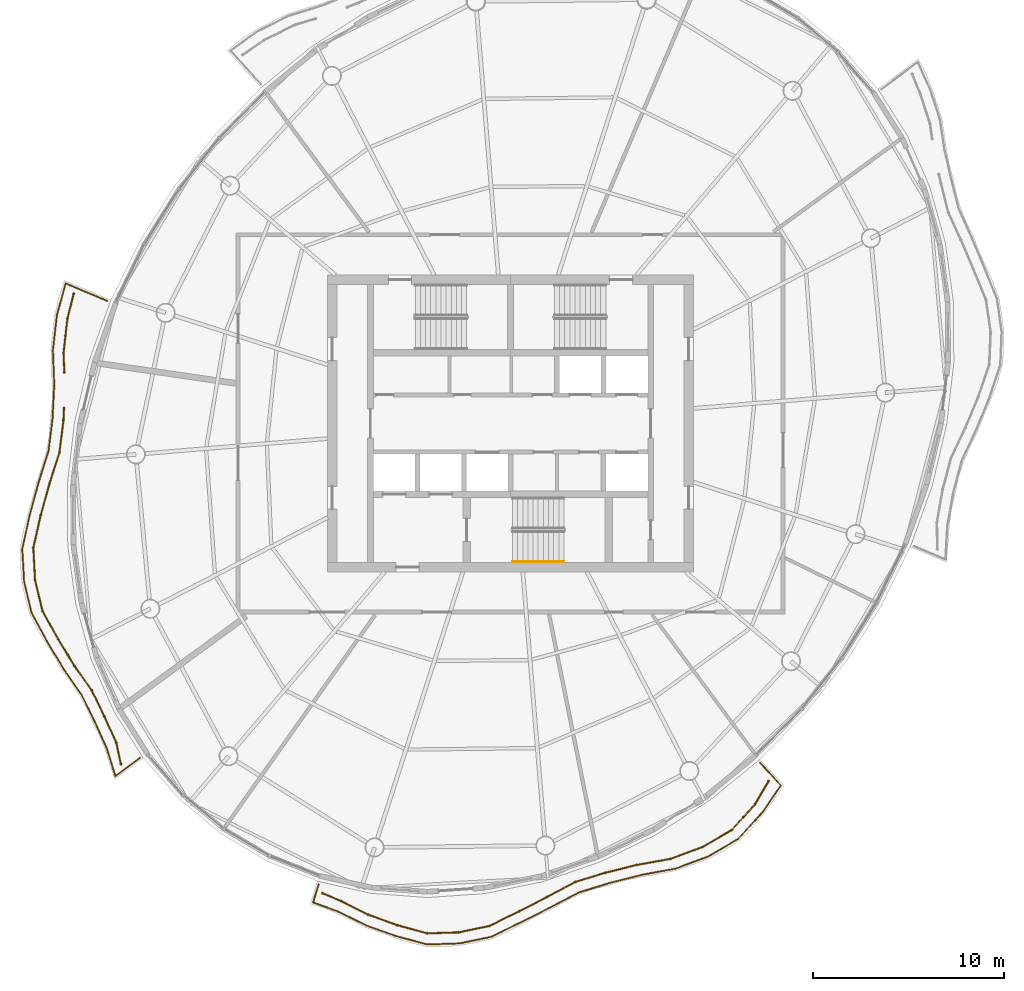
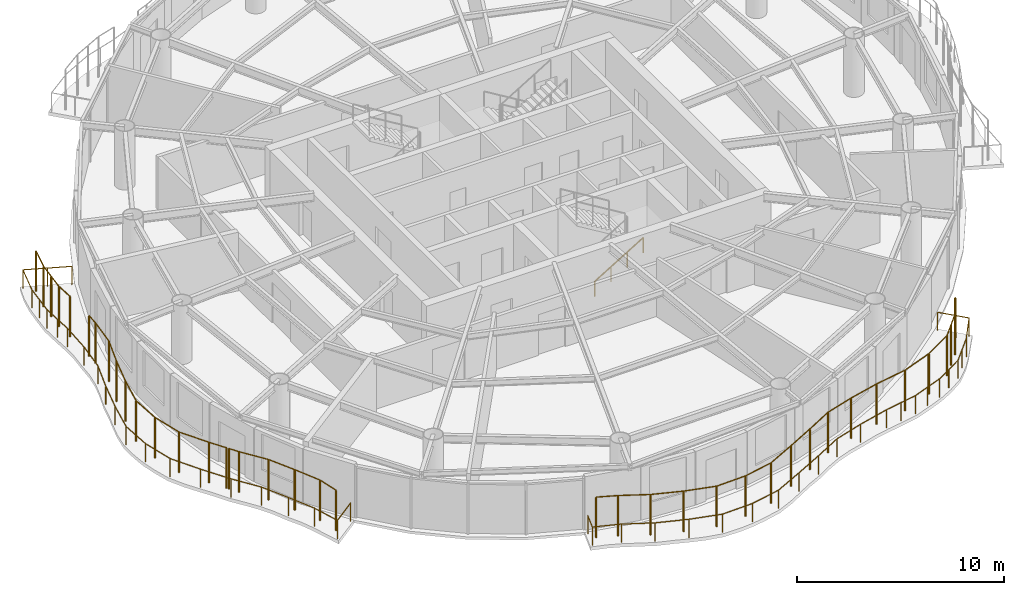
# One storey, part 12 of 14: 7 railings.
"""IFC4 building model written with IfcOpenShell, lengths in metres."""

from ifc_helpers import new_model, si_unit, direction, frame, origin, origin_2d, place, context, subcontext, project, spatial, circle, extrude, material, type_object, element, save


model = new_model("IFC4")

# Units and contexts
model_context = context("Model", 3, precision=1e-05, world=origin(), true_north=direction((0.0, 1.0)))
body_context = subcontext(model_context, "Body", "Model", "MODEL_VIEW")
ifc_project = project(units=[si_unit("LENGTHUNIT", "METRE"), si_unit("AREAUNIT", "SQUARE_METRE"), si_unit("VOLUMEUNIT", "CUBIC_METRE"), si_unit("PLANEANGLEUNIT", "RADIAN"), si_unit("MASSUNIT", "GRAM", prefix="KILO")], contexts=[model_context])

# Site, building, storey
site_placement = place(None, origin())
site = spatial("IfcSite", under=ifc_project, at=site_placement, CompositionType="ELEMENT")
building_placement = place(site_placement, origin())
building = spatial("IfcBuilding", under=site, at=building_placement, Name="Vermilion Reach Broadcast Tower", CompositionType="ELEMENT")
storey_placement = place(building_placement, frame((0.0, 0.0, 254.10009765625)))
storey = spatial("IfcBuildingStorey", under=building, at=storey_placement, Name="L62", CompositionType="ELEMENT", Elevation=254.10009765625)

# Railings
ifc_material_1 = material(Name="Terracotta baguette", Category="masonry")
railing_type_1 = type_object("IfcRailingType", Name="BAGUETTE SCREEN", PredefinedType="USERDEFINED", material=ifc_material_1)
railing_1_placement = place(storey_placement, frame((-28.923095703125, 6.816162109375, 0.0)))
element("IfcRailing", 1, at=railing_1_placement, inside=storey, type_object=railing_type_1, Name="Baguette screen L62 group 2 part 1", ObjectType="BAGUETTE SCREEN", PredefinedType="USERDEFINED", context=body_context, shape_type="SweptSolid", body=[
    extrude(circle(Radius=0.030029296875, at=origin_2d()), frame((0.0, 0.0, 2.369873046875), z_axis=(-0.247821473547, -0.968805716978, 0.0), x_axis=(0.968805716978, -0.247821473547, 0.0)), (0.0, 0.0, 1.0), 1.357421875),
    extrude(circle(Radius=0.030029296875, at=origin_2d()), frame((-0.33642578125, -1.315185546875, 2.369873046875), z_axis=(-0.110490323393, -0.993877199878, 0.0), x_axis=(0.993877199878, -0.110490323393, 0.0)), (0.0, 0.0, 1.0), 1.822998046875),
    extrude(circle(Radius=0.030029296875, at=origin_2d()), frame((-0.537841796875, -3.126953125, 2.369873046875), z_axis=(0.043575330963, -0.999050144153, 0.0), x_axis=(0.999050144153, 0.043575330963, 0.0)), (0.0, 0.0, 1.0), 0.997314453125),
    extrude(circle(Radius=0.050048828125, at=origin_2d()), origin(), (0.0, 0.0, 1.0), 2.33984375),
    extrude(circle(Radius=0.050048828125, at=origin_2d()), frame((-0.33642578125, -1.315185546875, 0.0)), (0.0, 0.0, 1.0), 2.33984375),
    extrude(circle(Radius=0.050048828125, at=origin_2d()), frame((-0.43701171875, -2.22119140625, 0.0)), (0.0, 0.0, 1.0), 2.33984375),
    extrude(circle(Radius=0.050048828125, at=origin_2d()), frame((-0.537841796875, -3.126953125, 0.0)), (0.0, 0.0, 1.0), 2.33984375),
    extrude(circle(Radius=0.050048828125, at=origin_2d()), frame((-0.494384765625, -4.123291015625, 0.0)), (0.0, 0.0, 1.0), 2.33984375),
])
railing_2_placement = place(storey_placement, frame((-29.43359375, 0.80908203125, 0.0)))
element("IfcRailing", 2, at=railing_2_placement, inside=storey, type_object=railing_type_1, Name="Baguette screen L62 group 2 part 2", ObjectType="BAGUETTE SCREEN", PredefinedType="USERDEFINED", context=body_context, shape_type="SweptSolid", body=[
    extrude(circle(Radius=0.030029296875, at=origin_2d()), frame((0.0, 0.0, 2.369873046875), z_axis=(-0.048579274711, -0.998819330044, 0.0), x_axis=(0.998819330044, -0.048579274711, 0.0)), (0.0, 0.0, 1.0), 0.663330078125),
    extrude(circle(Radius=0.030029296875, at=origin_2d()), frame((-0.0322265625, -0.66259765625, 2.369873046875), z_axis=(-0.123044286164, -0.992401180795, 0.0), x_axis=(0.992401180795, -0.123044286164, 0.0)), (0.0, 0.0, 1.0), 1.668701171875),
    extrude(circle(Radius=0.030029296875, at=origin_2d()), frame((-0.237548828125, -2.318603515625, 2.369873046875), z_axis=(-0.304138599805, -0.952627793059, 0.0), x_axis=(0.952627793059, -0.304138599805, 0.0)), (0.0, 0.0, 1.0), 1.724365234375),
    extrude(circle(Radius=0.030029296875, at=origin_2d()), frame((-0.761962890625, -3.961181640625, 2.369873046875), z_axis=(-0.267870823134, -0.963454836572, 0.0), x_axis=(0.963454836572, -0.267870823134, 0.0)), (0.0, 0.0, 1.0), 1.7197265625),
    extrude(circle(Radius=0.030029296875, at=origin_2d()), frame((-1.22265625, -5.6181640625, 2.369873046875), z_axis=(-0.221483145391, -0.975164199665, 0.0), x_axis=(0.975164199665, -0.221483145391, 0.0)), (0.0, 0.0, 1.0), 1.75927734375),
    extrude(circle(Radius=0.030029296875, at=origin_2d()), frame((-1.6123046875, -7.333740234375, 2.369873046875), z_axis=(0.052375565985, -0.998627458108, 0.0), x_axis=(0.998627458108, 0.052375565985, 0.0)), (0.0, 0.0, 1.0), 1.677978515625),
    extrude(circle(Radius=0.030029296875, at=origin_2d()), frame((-1.5244140625, -9.009521484375, 2.369873046875), z_axis=(0.233285267604, -0.972408342168, 0.0), x_axis=(0.972408342168, 0.233285267604, 0.0)), (0.0, 0.0, 1.0), 1.684814453125),
    extrude(circle(Radius=0.030029296875, at=origin_2d()), frame((-1.13134765625, -10.64794921875, 2.369873046875), z_axis=(0.485778398232, -0.87408200291, 0.0), x_axis=(0.87408200291, 0.485778398232, 0.0)), (0.0, 0.0, 1.0), 1.68310546875),
    extrude(circle(Radius=0.030029296875, at=origin_2d()), frame((-0.313720703125, -12.119140625, 2.369873046875), z_axis=(0.520309411806, -0.853977819376, 0.0), x_axis=(0.853977819376, 0.520309411806, 0.0)), (0.0, 0.0, 1.0), 0.96142578125),
    extrude(circle(Radius=0.050048828125, at=origin_2d()), origin(), (0.0, 0.0, 1.0), 2.33984375),
    extrude(circle(Radius=0.050048828125, at=origin_2d()), frame((-0.0322265625, -0.66259765625, 0.0)), (0.0, 0.0, 1.0), 2.33984375),
    extrude(circle(Radius=0.050048828125, at=origin_2d()), frame((-0.237548828125, -2.318603515625, 0.0)), (0.0, 0.0, 1.0), 2.33984375),
    extrude(circle(Radius=0.050048828125, at=origin_2d()), frame((-0.761962890625, -3.961181640625, 0.0)), (0.0, 0.0, 1.0), 2.33984375),
    extrude(circle(Radius=0.050048828125, at=origin_2d()), frame((-1.22265625, -5.6181640625, 0.0)), (0.0, 0.0, 1.0), 2.33984375),
    extrude(circle(Radius=0.050048828125, at=origin_2d()), frame((-1.6123046875, -7.333740234375, 0.0)), (0.0, 0.0, 1.0), 2.33984375),
    extrude(circle(Radius=0.050048828125, at=origin_2d()), frame((-1.5244140625, -9.009521484375, 0.0)), (0.0, 0.0, 1.0), 2.33984375),
    extrude(circle(Radius=0.050048828125, at=origin_2d()), frame((-1.13134765625, -10.64794921875, 0.0)), (0.0, 0.0, 1.0), 2.33984375),
    extrude(circle(Radius=0.050048828125, at=origin_2d()), frame((-0.313720703125, -12.119140625, 0.0)), (0.0, 0.0, 1.0), 2.33984375),
    extrude(circle(Radius=0.050048828125, at=origin_2d()), frame((0.1865234375, -12.940185546875, 0.0)), (0.0, 0.0, 1.0), 2.33984375),
])
railing_3_placement = place(storey_placement, frame((-29.1796875, -12.241455078125, 0.0)))
element("IfcRailing", 3, at=railing_3_placement, inside=storey, type_object=railing_type_1, Name="Baguette screen L62 group 2 part 3", ObjectType="BAGUETTE SCREEN", PredefinedType="USERDEFINED", context=body_context, shape_type="SweptSolid", body=[
    extrude(circle(Radius=0.030029296875, at=origin_2d()), frame((0.0, 0.0, 2.369873046875), z_axis=(0.520309984552, -0.853977470415, 0.0), x_axis=(0.853977470415, 0.520309984552, 0.0)), (0.0, 0.0, 1.0), 0.5546875),
    extrude(circle(Radius=0.030029296875, at=origin_2d()), frame((0.28857421875, -0.4736328125, 2.369873046875), z_axis=(0.576750027282, -0.816920685275, 0.0), x_axis=(0.816920685275, 0.576750027282, 0.0)), (0.0, 0.0, 1.0), 1.57763671875),
    extrude(circle(Radius=0.030029296875, at=origin_2d()), frame((1.198486328125, -1.762451171875, 2.369873046875), z_axis=(0.437371076705, -0.899281124711, 0.0), x_axis=(0.899281124711, 0.437371076705, 0.0)), (0.0, 0.0, 1.0), 1.522216796875),
    extrude(circle(Radius=0.030029296875, at=origin_2d()), frame((1.8642578125, -3.13134765625, 2.369873046875), z_axis=(0.412151834241, -0.911115176875, 0.0), x_axis=(0.911115176875, 0.412151834241, 0.0)), (0.0, 0.0, 1.0), 1.504638671875),
    extrude(circle(Radius=0.030029296875, at=origin_2d()), frame((2.484375, -4.502197265625, 2.369873046875), z_axis=(0.212105760012, -0.977246717349, 0.0), x_axis=(0.977246717349, 0.212105760012, 0.0)), (0.0, 0.0, 1.0), 1.157958984375),
    extrude(circle(Radius=0.050048828125, at=origin_2d()), origin(), (0.0, 0.0, 1.0), 2.33984375),
    extrude(circle(Radius=0.050048828125, at=origin_2d()), frame((0.28857421875, -0.4736328125, 0.0)), (0.0, 0.0, 1.0), 2.33984375),
    extrude(circle(Radius=0.050048828125, at=origin_2d()), frame((1.198486328125, -1.762451171875, 0.0)), (0.0, 0.0, 1.0), 2.33984375),
    extrude(circle(Radius=0.050048828125, at=origin_2d()), frame((1.8642578125, -3.13134765625, 0.0)), (0.0, 0.0, 1.0), 2.33984375),
    extrude(circle(Radius=0.050048828125, at=origin_2d()), frame((2.484375, -4.502197265625, 0.0)), (0.0, 0.0, 1.0), 2.33984375),
    extrude(circle(Radius=0.050048828125, at=origin_2d()), frame((2.72998046875, -5.6337890625, 0.0)), (0.0, 0.0, 1.0), 2.33984375),
])
railing_4_placement = place(storey_placement, frame((-15.86962890625, -24.650390625, 0.0)))
element("IfcRailing", 4, at=railing_4_placement, inside=storey, type_object=railing_type_1, Name="Baguette screen L62 group 3", ObjectType="BAGUETTE SCREEN", PredefinedType="USERDEFINED", context=body_context, shape_type="SweptSolid", body=[
    extrude(circle(Radius=0.030029296875, at=origin_2d()), frame((0.0, 0.0, 2.369873046875), z_axis=(0.922597815056, -0.385763232635, 0.0), x_axis=(0.385763232635, 0.922597815056, 0.0)), (0.0, 0.0, 1.0), 1.056884765625),
    extrude(circle(Radius=0.030029296875, at=origin_2d()), frame((0.97509765625, -0.40771484375, 2.369873046875), z_axis=(0.892408579708, -0.451228242537, 0.0), x_axis=(0.451228242537, 0.892408579708, 0.0)), (0.0, 0.0, 1.0), 1.579345703125),
    extrude(circle(Radius=0.030029296875, at=origin_2d()), frame((2.384521484375, -1.120361328125, 2.369873046875), z_axis=(0.940310680164, -0.340317241365, 0.0), x_axis=(0.340317241365, 0.940310680164, 0.0)), (0.0, 0.0, 1.0), 1.622802734375),
    extrude(circle(Radius=0.030029296875, at=origin_2d()), frame((3.910400390625, -1.672607421875, 2.369873046875), z_axis=(0.964330608801, -0.264700730882, 0.0), x_axis=(0.264700730882, 0.964330608801, 0.0)), (0.0, 0.0, 1.0), 1.6435546875),
    extrude(circle(Radius=0.030029296875, at=origin_2d()), frame((5.495361328125, -2.107666015625, 2.369873046875), z_axis=(0.999484869317, 0.03209355085, 0.0), x_axis=(-0.03209355085, 0.999484869317, 0.0)), (0.0, 0.0, 1.0), 1.650634765625),
    extrude(circle(Radius=0.030029296875, at=origin_2d()), frame((7.145263671875, -2.0546875, 2.369873046875), z_axis=(0.978797536175, 0.204830132495, 0.0), x_axis=(-0.204830132495, 0.978797536175, 0.0)), (0.0, 0.0, 1.0), 1.647216796875),
    extrude(circle(Radius=0.030029296875, at=origin_2d()), frame((8.757568359375, -1.71728515625, 2.369873046875), z_axis=(0.896844758662, 0.442345429343, 0.0), x_axis=(-0.442345429343, 0.896844758662, 0.0)), (0.0, 0.0, 1.0), 1.7275390625),
    extrude(circle(Radius=0.030029296875, at=origin_2d()), frame((10.306884765625, -0.953125, 2.369873046875), z_axis=(0.890503157795, 0.454977060913, 0.0), x_axis=(-0.454977060913, 0.890503157795, 0.0)), (0.0, 0.0, 1.0), 1.66943359375),
    extrude(circle(Radius=0.030029296875, at=origin_2d()), frame((11.79345703125, -0.193603515625, 2.369873046875), z_axis=(0.88233675742, 0.470618578581, 0.0), x_axis=(-0.470618578581, 0.88233675742, 0.0)), (0.0, 0.0, 1.0), 1.67041015625),
    extrude(circle(Radius=0.030029296875, at=origin_2d()), frame((13.267333984375, 0.592529296875, 2.369873046875), z_axis=(0.956213594543, 0.292669714203, 0.0), x_axis=(-0.292669714203, 0.956213594543, 0.0)), (0.0, 0.0, 1.0), 1.6357421875),
    extrude(circle(Radius=0.030029296875, at=origin_2d()), frame((14.83154296875, 1.0712890625, 2.369873046875), z_axis=(0.970393883279, 0.241527868566, 0.0), x_axis=(-0.241527868566, 0.970393883279, 0.0)), (0.0, 0.0, 1.0), 1.710205078125),
    extrude(circle(Radius=0.030029296875, at=origin_2d()), frame((16.4912109375, 1.484375, 2.369873046875), z_axis=(0.984404793052, 0.1759181725, 0.0), x_axis=(-0.1759181725, 0.984404793052, 0.0)), (0.0, 0.0, 1.0), 1.788818359375),
    extrude(circle(Radius=0.030029296875, at=origin_2d()), frame((18.252197265625, 1.799072265625, 2.369873046875), z_axis=(0.937574799132, 0.347783691441, 0.0), x_axis=(-0.347783691441, 0.937574799132, 0.0)), (0.0, 0.0, 1.0), 1.795654296875),
    extrude(circle(Radius=0.030029296875, at=origin_2d()), frame((19.935791015625, 2.423583984375, 2.369873046875), z_axis=(0.864708197287, 0.502274559922, 0.0), x_axis=(-0.502274559922, 0.864708197287, 0.0)), (0.0, 0.0, 1.0), 1.779052734375),
    extrude(circle(Radius=0.030029296875, at=origin_2d()), frame((21.47412109375, 3.317138671875, 2.369873046875), z_axis=(0.670552413559, 0.741862157459, 0.0), x_axis=(-0.741862157459, 0.670552413559, 0.0)), (0.0, 0.0, 1.0), 1.82470703125),
    extrude(circle(Radius=0.030029296875, at=origin_2d()), frame((22.69775390625, 4.6708984375, 2.369873046875), z_axis=(0.505499753919, 0.862826748999, 0.0), x_axis=(-0.862826748999, 0.505499753919, 0.0)), (0.0, 0.0, 1.0), 1.397216796875),
    extrude(circle(Radius=0.050048828125, at=origin_2d()), origin(), (0.0, 0.0, 1.0), 2.33984375),
    extrude(circle(Radius=0.050048828125, at=origin_2d()), frame((0.97509765625, -0.40771484375, 0.0)), (0.0, 0.0, 1.0), 2.33984375),
    extrude(circle(Radius=0.050048828125, at=origin_2d()), frame((2.384521484375, -1.120361328125, 0.0)), (0.0, 0.0, 1.0), 2.33984375),
    extrude(circle(Radius=0.050048828125, at=origin_2d()), frame((3.910400390625, -1.672607421875, 0.0)), (0.0, 0.0, 1.0), 2.33984375),
    extrude(circle(Radius=0.050048828125, at=origin_2d()), frame((5.495361328125, -2.107666015625, 0.0)), (0.0, 0.0, 1.0), 2.33984375),
    extrude(circle(Radius=0.050048828125, at=origin_2d()), frame((7.145263671875, -2.0546875, 0.0)), (0.0, 0.0, 1.0), 2.33984375),
    extrude(circle(Radius=0.050048828125, at=origin_2d()), frame((8.757568359375, -1.71728515625, 0.0)), (0.0, 0.0, 1.0), 2.33984375),
    extrude(circle(Radius=0.050048828125, at=origin_2d()), frame((10.306884765625, -0.953125, 0.0)), (0.0, 0.0, 1.0), 2.33984375),
    extrude(circle(Radius=0.050048828125, at=origin_2d()), frame((11.79345703125, -0.193603515625, 0.0)), (0.0, 0.0, 1.0), 2.33984375),
    extrude(circle(Radius=0.050048828125, at=origin_2d()), frame((13.267333984375, 0.592529296875, 0.0)), (0.0, 0.0, 1.0), 2.33984375),
    extrude(circle(Radius=0.050048828125, at=origin_2d()), frame((14.83154296875, 1.0712890625, 0.0)), (0.0, 0.0, 1.0), 2.33984375),
    extrude(circle(Radius=0.050048828125, at=origin_2d()), frame((16.4912109375, 1.484375, 0.0)), (0.0, 0.0, 1.0), 2.33984375),
    extrude(circle(Radius=0.050048828125, at=origin_2d()), frame((18.252197265625, 1.799072265625, 0.0)), (0.0, 0.0, 1.0), 2.33984375),
    extrude(circle(Radius=0.050048828125, at=origin_2d()), frame((19.935791015625, 2.423583984375, 0.0)), (0.0, 0.0, 1.0), 2.33984375),
    extrude(circle(Radius=0.050048828125, at=origin_2d()), frame((21.47412109375, 3.317138671875, 0.0)), (0.0, 0.0, 1.0), 2.33984375),
    extrude(circle(Radius=0.050048828125, at=origin_2d()), frame((22.0859375, 3.994140625, 0.0)), (0.0, 0.0, 1.0), 2.33984375),
    extrude(circle(Radius=0.050048828125, at=origin_2d()), frame((22.69775390625, 4.6708984375, 0.0)), (0.0, 0.0, 1.0), 2.33984375),
    extrude(circle(Radius=0.050048828125, at=origin_2d()), frame((23.404052734375, 5.87646484375, 0.0)), (0.0, 0.0, 1.0), 2.33984375),
])
ifc_material_2 = material(Name="Stainless steel 316 balustrade", Category="steel")
railing_type_2 = type_object("IfcRailingType", Name="Balcony guard 1100", PredefinedType="BALUSTRADE", material=ifc_material_2)
railing_5_placement = place(storey_placement, frame((-27.154052734375, 6.427490234375, 0.0)))
element("IfcRailing", 5, at=railing_5_placement, inside=storey, type_object=railing_type_2, Name="Balcony guard L62 group 2", PredefinedType="BALUSTRADE", context=body_context, shape_type="SweptSolid", body=[
    extrude(circle(Radius=0.02490234375, at=origin_2d()), frame((0.0, 0.0, 1.0751953125), z_axis=(-0.921349229431, 0.388735896757, 0.0), x_axis=(-0.388735896757, -0.921349229431, 0.0)), (0.0, 0.0, 1.0), 2.37890625),
    extrude(circle(Radius=0.02490234375, at=origin_2d()), frame((-2.19189453125, 0.9248046875, 1.0751953125), z_axis=(-0.267467941262, -0.963566759699, 0.0), x_axis=(0.963566759699, -0.267467941262, 0.0)), (0.0, 0.0, 1.0), 1.7177734375),
    extrude(circle(Radius=0.02490234375, at=origin_2d()), frame((-2.6513671875, -0.73046875, 1.0751953125), z_axis=(-0.114099602135, -0.993469315476, 0.0), x_axis=(0.993469315476, -0.114099602135, 0.0)), (0.0, 0.0, 1.0), 1.855224609375),
    extrude(circle(Radius=0.02490234375, at=origin_2d()), frame((-2.863037109375, -2.573486328125, 1.0751953125), z_axis=(0.038346791383, -0.999264491309, 0.0), x_axis=(0.999264491309, 0.038346791383, 0.0)), (0.0, 0.0, 1.0), 1.846435546875),
    extrude(circle(Radius=0.02490234375, at=origin_2d()), frame((-2.792236328125, -4.41845703125, 1.0751953125), z_axis=(-0.051462401298, -0.998674932725, 0.0), x_axis=(0.998674932725, -0.051462401298, 0.0)), (0.0, 0.0, 1.0), 1.764892578125),
    extrude(circle(Radius=0.02490234375, at=origin_2d()), frame((-2.883056640625, -6.180908203125, 1.0751953125), z_axis=(-0.123593553124, -0.992332924792, 0.0), x_axis=(0.992332924792, -0.123593553124, 0.0)), (0.0, 0.0, 1.0), 1.70263671875),
    extrude(circle(Radius=0.02490234375, at=origin_2d()), frame((-3.093505859375, -7.87060546875, 1.0751953125), z_axis=(-0.299729126951, -0.954024344793, 0.0), x_axis=(0.954024344793, -0.299729126951, 0.0)), (0.0, 0.0, 1.0), 1.758544921875),
    extrude(circle(Radius=0.02490234375, at=origin_2d()), frame((-3.62060546875, -9.54833984375, 1.0751953125), z_axis=(-0.263176286219, -0.964747761009, 0.0), x_axis=(0.964747761009, -0.263176286219, 0.0)), (0.0, 0.0, 1.0), 1.754150390625),
    extrude(circle(Radius=0.02490234375, at=origin_2d()), frame((-4.082275390625, -11.24072265625, 1.0751953125), z_axis=(-0.216210497064, -0.976346772904, 0.0), x_axis=(0.976346772904, -0.216210497064, 0.0)), (0.0, 0.0, 1.0), 1.79541015625),
    extrude(circle(Radius=0.02490234375, at=origin_2d()), frame((-4.470458984375, -12.99365234375, 1.0751953125), z_axis=(0.053664540366, -0.998559020342, 0.0), x_axis=(0.998559020342, 0.053664540366, 0.0)), (0.0, 0.0, 1.0), 1.715087890625),
    extrude(circle(Radius=0.02490234375, at=origin_2d()), frame((-4.37841796875, -14.706298828125, 1.0751953125), z_axis=(0.231658814023, -0.972797098004, 0.0), x_axis=(0.972797098004, 0.231658814023, 0.0)), (0.0, 0.0, 1.0), 1.72412109375),
    extrude(circle(Radius=0.02490234375, at=origin_2d()), frame((-3.97900390625, -16.383544921875, 1.0751953125), z_axis=(0.480491308212, -0.876999488445, 0.0), x_axis=(0.876999488445, 0.480491308212, 0.0)), (0.0, 0.0, 1.0), 1.720947265625),
    extrude(circle(Radius=0.02490234375, at=origin_2d()), frame((-3.152099609375, -17.892822265625, 1.0751953125), z_axis=(0.515390161207, -0.85695564747, 0.0), x_axis=(0.85695564747, 0.515390161207, 0.0)), (0.0, 0.0, 1.0), 1.685546875),
    extrude(circle(Radius=0.02490234375, at=origin_2d()), frame((-2.283447265625, -19.337158203125, 1.0751953125), z_axis=(0.571749574054, -0.820428195864, 0.0), x_axis=(0.820428195864, 0.571749574054, 0.0)), (0.0, 0.0, 1.0), 1.617919921875),
    extrude(circle(Radius=0.02490234375, at=origin_2d()), frame((-1.3583984375, -20.66455078125, 1.0751953125), z_axis=(0.437455493734, -0.899240063055, 0.0), x_axis=(0.899240063055, 0.437455493734, 0.0)), (0.0, 0.0, 1.0), 1.5654296875),
    extrude(circle(Radius=0.02490234375, at=origin_2d()), frame((-0.673583984375, -22.072265625, 1.0751953125), z_axis=(0.414670598092, -0.909971590259, 0.0), x_axis=(0.909971590259, 0.414670598092, 0.0)), (0.0, 0.0, 1.0), 1.54736328125),
    extrude(circle(Radius=0.02490234375, at=origin_2d()), frame((-0.031982421875, -23.480224609375, 1.0751953125), z_axis=(0.294980060866, -0.955503408519, 0.0), x_axis=(0.955503408519, 0.294980060866, 0.0)), (0.0, 0.0, 1.0), 1.515380859375),
    extrude(circle(Radius=0.02490234375, at=origin_2d()), frame((0.4150390625, -24.92822265625, 1.0751953125), z_axis=(0.802302950115, 0.596917059764, 0.0), x_axis=(-0.596917059764, 0.802302950115, 0.0)), (0.0, 0.0, 1.0), 1.598876953125),
    extrude(circle(Radius=0.02490234375, at=origin_2d()), origin(), (0.0, 0.0, 1.0), 1.050048828125),
    extrude(circle(Radius=0.02490234375, at=origin_2d()), frame((-1.095947265625, 0.46240234375, 0.0)), (0.0, 0.0, 1.0), 1.050048828125),
    extrude(circle(Radius=0.02490234375, at=origin_2d()), frame((-2.19189453125, 0.9248046875, 0.0)), (0.0, 0.0, 1.0), 1.050048828125),
    extrude(circle(Radius=0.02490234375, at=origin_2d()), frame((-2.6513671875, -0.73046875, 0.0)), (0.0, 0.0, 1.0), 1.050048828125),
    extrude(circle(Radius=0.02490234375, at=origin_2d()), frame((-2.75732421875, -1.65185546875, 0.0)), (0.0, 0.0, 1.0), 1.050048828125),
    extrude(circle(Radius=0.02490234375, at=origin_2d()), frame((-2.863037109375, -2.573486328125, 0.0)), (0.0, 0.0, 1.0), 1.050048828125),
    extrude(circle(Radius=0.02490234375, at=origin_2d()), frame((-2.82763671875, -3.49609375, 0.0)), (0.0, 0.0, 1.0), 1.050048828125),
    extrude(circle(Radius=0.02490234375, at=origin_2d()), frame((-2.792236328125, -4.41845703125, 0.0)), (0.0, 0.0, 1.0), 1.050048828125),
    extrude(circle(Radius=0.02490234375, at=origin_2d()), frame((-2.883056640625, -6.180908203125, 0.0)), (0.0, 0.0, 1.0), 1.050048828125),
    extrude(circle(Radius=0.02490234375, at=origin_2d()), frame((-3.093505859375, -7.87060546875, 0.0)), (0.0, 0.0, 1.0), 1.050048828125),
    extrude(circle(Radius=0.02490234375, at=origin_2d()), frame((-3.62060546875, -9.54833984375, 0.0)), (0.0, 0.0, 1.0), 1.050048828125),
    extrude(circle(Radius=0.02490234375, at=origin_2d()), frame((-4.082275390625, -11.24072265625, 0.0)), (0.0, 0.0, 1.0), 1.050048828125),
    extrude(circle(Radius=0.02490234375, at=origin_2d()), frame((-4.470458984375, -12.99365234375, 0.0)), (0.0, 0.0, 1.0), 1.050048828125),
    extrude(circle(Radius=0.02490234375, at=origin_2d()), frame((-4.37841796875, -14.706298828125, 0.0)), (0.0, 0.0, 1.0), 1.050048828125),
    extrude(circle(Radius=0.02490234375, at=origin_2d()), frame((-3.97900390625, -16.383544921875, 0.0)), (0.0, 0.0, 1.0), 1.050048828125),
    extrude(circle(Radius=0.02490234375, at=origin_2d()), frame((-3.152099609375, -17.892822265625, 0.0)), (0.0, 0.0, 1.0), 1.050048828125),
    extrude(circle(Radius=0.02490234375, at=origin_2d()), frame((-2.283447265625, -19.337158203125, 0.0)), (0.0, 0.0, 1.0), 1.050048828125),
    extrude(circle(Radius=0.02490234375, at=origin_2d()), frame((-1.3583984375, -20.66455078125, 0.0)), (0.0, 0.0, 1.0), 1.050048828125),
    extrude(circle(Radius=0.02490234375, at=origin_2d()), frame((-0.673583984375, -22.072265625, 0.0)), (0.0, 0.0, 1.0), 1.050048828125),
    extrude(circle(Radius=0.02490234375, at=origin_2d()), frame((-0.031982421875, -23.480224609375, 0.0)), (0.0, 0.0, 1.0), 1.050048828125),
    extrude(circle(Radius=0.02490234375, at=origin_2d()), frame((0.4150390625, -24.92822265625, 0.0)), (0.0, 0.0, 1.0), 1.050048828125),
    extrude(circle(Radius=0.02490234375, at=origin_2d()), frame((1.69775390625, -23.973876953125, 0.0)), (0.0, 0.0, 1.0), 1.050048828125),
])
railing_6_placement = place(storey_placement, frame((-16.070556640625, -24.186767578125, 0.0)))
element("IfcRailing", 6, at=railing_6_placement, inside=storey, type_object=railing_type_2, Name="Balcony guard L62 group 3", PredefinedType="BALUSTRADE", context=body_context, shape_type="SweptSolid", body=[
    extrude(circle(Radius=0.02490234375, at=origin_2d()), frame((0.0, 0.0, 1.0751953125), z_axis=(-0.295785653877, -0.955254336269, 0.0), x_axis=(0.955254336269, -0.295785653877, 0.0)), (0.0, 0.0, 1.0), 0.98876953125),
    extrude(circle(Radius=0.02490234375, at=origin_2d()), frame((-0.29248046875, -0.944580078125, 1.0751953125), z_axis=(0.93865507674, -0.344857429833, 0.0), x_axis=(0.344857429833, 0.93865507674, 0.0)), (0.0, 0.0, 1.0), 1.427978515625),
    extrude(circle(Radius=0.02490234375, at=origin_2d()), frame((1.0478515625, -1.43701171875, 1.0751953125), z_axis=(0.895748957572, -0.444560237773, 0.0), x_axis=(0.444560237773, 0.895748957572, 0.0)), (0.0, 0.0, 1.0), 1.62060546875),
    extrude(circle(Radius=0.02490234375, at=origin_2d()), frame((2.49951171875, -2.157470703125, 1.0751953125), z_axis=(0.94236064749, -0.334598879349, 0.0), x_axis=(0.334598879349, 0.94236064749, 0.0)), (0.0, 0.0, 1.0), 1.6650390625),
    extrude(circle(Radius=0.02490234375, at=origin_2d()), frame((4.068603515625, -2.714599609375, 1.0751953125), z_axis=(0.965764011016, -0.259422194551, 0.0), x_axis=(0.259422194551, 0.965764011016, 0.0)), (0.0, 0.0, 1.0), 1.68359375),
    extrude(circle(Radius=0.02490234375, at=origin_2d()), frame((5.694580078125, -3.1513671875, 1.0751953125), z_axis=(0.999482212044, 0.032176199406, 0.0), x_axis=(-0.032176199406, 0.999482212044, 0.0)), (0.0, 0.0, 1.0), 1.692138671875),
    extrude(circle(Radius=0.02490234375, at=origin_2d()), frame((7.3857421875, -3.096923828125, 1.0751953125), z_axis=(0.979302000842, 0.202404523533, 0.0), x_axis=(-0.202404523533, 0.979302000842, 0.0)), (0.0, 0.0, 1.0), 1.686279296875),
    extrude(circle(Radius=0.02490234375, at=origin_2d()), frame((9.037109375, -2.755615234375, 1.0751953125), z_axis=(0.899567165002, 0.436782458038, 0.0), x_axis=(-0.436782458038, 0.899567165002, 0.0)), (0.0, 0.0, 1.0), 1.76513671875),
    extrude(circle(Radius=0.02490234375, at=origin_2d()), frame((10.625, -1.984619140625, 1.0751953125), z_axis=(0.892846960351, 0.450360195168, 0.0), x_axis=(-0.450360195168, 0.892846960351, 0.0)), (0.0, 0.0, 1.0), 1.70556640625),
    extrude(circle(Radius=0.02490234375, at=origin_2d()), frame((12.147705078125, -1.216552734375, 1.0751953125), z_axis=(0.884281416298, 0.466954362642, 0.0), x_axis=(-0.466954362642, 0.884281416298, 0.0)), (0.0, 0.0, 1.0), 1.70703125),
    extrude(circle(Radius=0.02490234375, at=origin_2d()), frame((13.6572265625, -0.41943359375, 1.0751953125), z_axis=(0.955829531879, 0.293921598371, 0.0), x_axis=(-0.293921598371, 0.955829531879, 0.0)), (0.0, 0.0, 1.0), 1.671142578125),
    extrude(circle(Radius=0.02490234375, at=origin_2d()), frame((15.254638671875, 0.07177734375, 1.0751953125), z_axis=(0.969497214898, 0.245102326191, 0.0), x_axis=(-0.245102326191, 0.969497214898, 0.0)), (0.0, 0.0, 1.0), 1.7451171875),
    extrude(circle(Radius=0.02490234375, at=origin_2d()), frame((16.946533203125, 0.49951171875, 1.0751953125), z_axis=(0.983390279473, 0.181503603927, 0.0), x_axis=(-0.181503603927, 0.983390279473, 0.0)), (0.0, 0.0, 1.0), 1.8212890625),
    extrude(circle(Radius=0.02490234375, at=origin_2d()), frame((18.737548828125, 0.830078125, 1.0751953125), z_axis=(0.936400472405, 0.350933263286, 0.0), x_axis=(-0.350933263286, 0.936400472405, 0.0)), (0.0, 0.0, 1.0), 1.828857421875),
    extrude(circle(Radius=0.02490234375, at=origin_2d()), frame((20.4501953125, 1.471923828125, 1.0751953125), z_axis=(0.863998777018, 0.503493905933, 0.0), x_axis=(-0.503493905933, 0.863998777018, 0.0)), (0.0, 0.0, 1.0), 1.8115234375),
    extrude(circle(Radius=0.02490234375, at=origin_2d()), frame((22.015380859375, 2.384033203125, 1.0751953125), z_axis=(0.67292793506, 0.739708046607, 0.0), x_axis=(-0.739708046607, 0.67292793506, 0.0)), (0.0, 0.0, 1.0), 1.857177734375),
    extrude(circle(Radius=0.02490234375, at=origin_2d()), frame((23.26513671875, 3.7578125, 1.0751953125), z_axis=(0.566487165413, 0.824070562162, 0.0), x_axis=(-0.824070562162, 0.566487165413, 0.0)), (0.0, 0.0, 1.0), 1.7412109375),
    extrude(circle(Radius=0.02490234375, at=origin_2d()), frame((24.25146484375, 5.192626953125, 1.0751953125), z_axis=(-0.673369800874, 0.739305830675, 0.0), x_axis=(-0.739305830675, -0.673369800874, 0.0)), (0.0, 0.0, 1.0), 1.603271484375),
    extrude(circle(Radius=0.02490234375, at=origin_2d()), origin(), (0.0, 0.0, 1.0), 1.050048828125),
    extrude(circle(Radius=0.02490234375, at=origin_2d()), frame((-0.29248046875, -0.944580078125, 0.0)), (0.0, 0.0, 1.0), 1.050048828125),
    extrude(circle(Radius=0.02490234375, at=origin_2d()), frame((1.0478515625, -1.43701171875, 0.0)), (0.0, 0.0, 1.0), 1.050048828125),
    extrude(circle(Radius=0.02490234375, at=origin_2d()), frame((2.49951171875, -2.157470703125, 0.0)), (0.0, 0.0, 1.0), 1.050048828125),
    extrude(circle(Radius=0.02490234375, at=origin_2d()), frame((4.068603515625, -2.714599609375, 0.0)), (0.0, 0.0, 1.0), 1.050048828125),
    extrude(circle(Radius=0.02490234375, at=origin_2d()), frame((5.694580078125, -3.1513671875, 0.0)), (0.0, 0.0, 1.0), 1.050048828125),
    extrude(circle(Radius=0.02490234375, at=origin_2d()), frame((7.3857421875, -3.096923828125, 0.0)), (0.0, 0.0, 1.0), 1.050048828125),
    extrude(circle(Radius=0.02490234375, at=origin_2d()), frame((9.037109375, -2.755615234375, 0.0)), (0.0, 0.0, 1.0), 1.050048828125),
    extrude(circle(Radius=0.02490234375, at=origin_2d()), frame((10.625, -1.984619140625, 0.0)), (0.0, 0.0, 1.0), 1.050048828125),
    extrude(circle(Radius=0.02490234375, at=origin_2d()), frame((12.147705078125, -1.216552734375, 0.0)), (0.0, 0.0, 1.0), 1.050048828125),
    extrude(circle(Radius=0.02490234375, at=origin_2d()), frame((13.6572265625, -0.41943359375, 0.0)), (0.0, 0.0, 1.0), 1.050048828125),
    extrude(circle(Radius=0.02490234375, at=origin_2d()), frame((15.254638671875, 0.07177734375, 0.0)), (0.0, 0.0, 1.0), 1.050048828125),
    extrude(circle(Radius=0.02490234375, at=origin_2d()), frame((16.946533203125, 0.49951171875, 0.0)), (0.0, 0.0, 1.0), 1.050048828125),
    extrude(circle(Radius=0.02490234375, at=origin_2d()), frame((17.842041015625, 0.664794921875, 0.0)), (0.0, 0.0, 1.0), 1.050048828125),
    extrude(circle(Radius=0.02490234375, at=origin_2d()), frame((18.737548828125, 0.830078125, 0.0)), (0.0, 0.0, 1.0), 1.050048828125),
    extrude(circle(Radius=0.02490234375, at=origin_2d()), frame((19.59375, 1.15087890625, 0.0)), (0.0, 0.0, 1.0), 1.050048828125),
    extrude(circle(Radius=0.02490234375, at=origin_2d()), frame((20.4501953125, 1.471923828125, 0.0)), (0.0, 0.0, 1.0), 1.050048828125),
    extrude(circle(Radius=0.02490234375, at=origin_2d()), frame((21.23291015625, 1.927978515625, 0.0)), (0.0, 0.0, 1.0), 1.050048828125),
    extrude(circle(Radius=0.02490234375, at=origin_2d()), frame((22.015380859375, 2.384033203125, 0.0)), (0.0, 0.0, 1.0), 1.050048828125),
    extrude(circle(Radius=0.02490234375, at=origin_2d()), frame((22.64013671875, 3.07080078125, 0.0)), (0.0, 0.0, 1.0), 1.050048828125),
    extrude(circle(Radius=0.02490234375, at=origin_2d()), frame((23.26513671875, 3.7578125, 0.0)), (0.0, 0.0, 1.0), 1.050048828125),
    extrude(circle(Radius=0.02490234375, at=origin_2d()), frame((24.25146484375, 5.192626953125, 0.0)), (0.0, 0.0, 1.0), 1.050048828125),
    extrude(circle(Radius=0.02490234375, at=origin_2d()), frame((23.171875, 6.3779296875, 0.0)), (0.0, 0.0, 1.0), 1.050048828125),
])
ifc_material_3 = material(Name="Stainless steel", Category="steel")
railing_type_3 = type_object("IfcRailingType", Name="Stair handrail", PredefinedType="HANDRAIL", material=ifc_material_3)
railing_7_placement = place(storey_placement, frame((-5.89990234375, -7.25, 0.16357421875)))
element("IfcRailing", 7, at=railing_7_placement, inside=storey, type_object=railing_type_3, Name="L62 ST3 stair handrail 1", PredefinedType="HANDRAIL", context=body_context, shape_type="SweptSolid", body=[
    extrude(circle(Radius=0.02392578125, at=origin_2d()), frame((0.0, 0.0, 0.8759765625), z_axis=(0.855212373127, 0.0, 0.518277721738), x_axis=(0.0, 1.0, 0.0)), (0.0, 0.0, 1.0), 3.156982421875),
    extrude(circle(Radius=0.02099609375, at=origin_2d()), origin(), (0.0, 0.0, 1.0), 0.851806640625),
    extrude(circle(Radius=0.02099609375, at=origin_2d()), frame((0.89990234375, 0.0, 0.54541015625)), (0.0, 0.0, 1.0), 0.851806640625),
    extrude(circle(Radius=0.02099609375, at=origin_2d()), frame((1.800048828125, 0.0, 1.0908203125)), (0.0, 0.0, 1.0), 0.851806640625),
    extrude(circle(Radius=0.02099609375, at=origin_2d()), frame((2.699951171875, 0.0, 1.63623046875)), (0.0, 0.0, 1.0), 0.851806640625),
])

save(model, "model.ifc")
